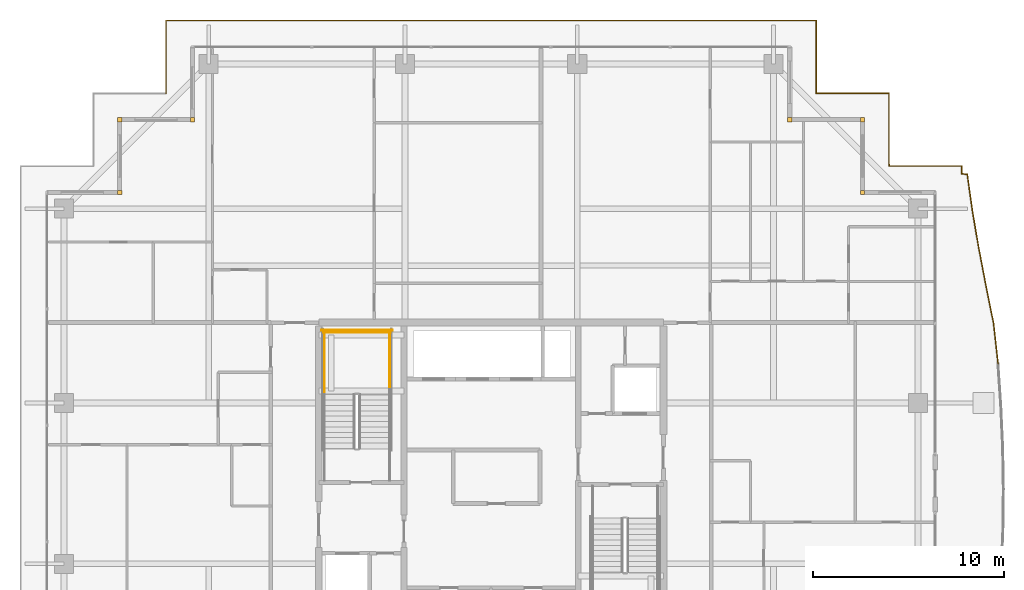
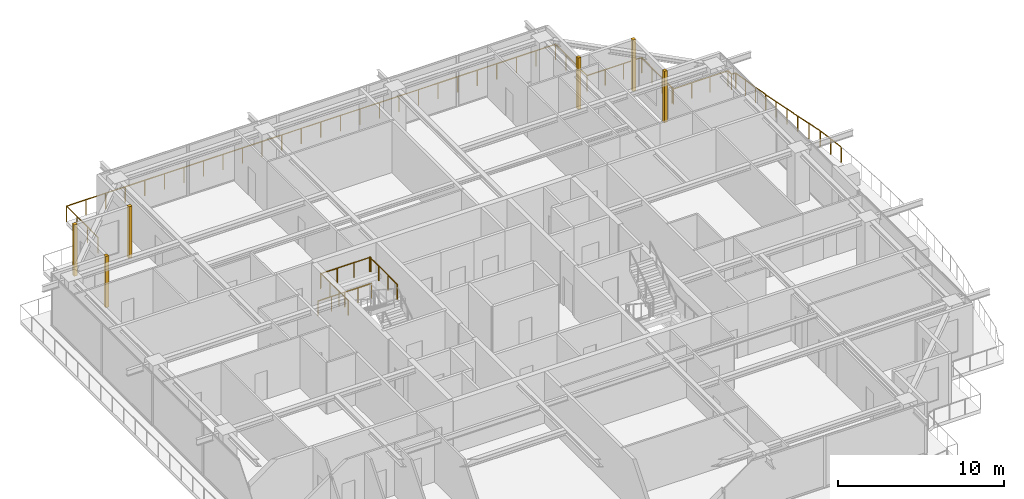
# One storey, part 42 of 42: 6 coverings, 6 railings.
"""IFC4 building model written with IfcOpenShell, lengths in metres."""

from ifc_helpers import new_model, si_unit, direction, frame, origin, origin_2d, place, context, subcontext, project, spatial, rectangle, circle, extrude, source, transform, mapped, material, layer, layer_set, type_object, element, save


model = new_model("IFC4")

# Units and contexts
model_context = context("Model", 3, precision=1e-05, world=origin(), true_north=direction((0.0, 1.0)))
body_context = subcontext(model_context, "Body", "Model", "MODEL_VIEW")
ifc_project = project(units=[si_unit("LENGTHUNIT", "METRE"), si_unit("AREAUNIT", "SQUARE_METRE"), si_unit("VOLUMEUNIT", "CUBIC_METRE"), si_unit("PLANEANGLEUNIT", "RADIAN"), si_unit("MASSUNIT", "GRAM", prefix="KILO")], contexts=[model_context])

# Site, building, storey
site_placement = place(None, origin())
site = spatial("IfcSite", under=ifc_project, at=site_placement, CompositionType="ELEMENT")
building_placement = place(site_placement, origin())
building = spatial("IfcBuilding", under=site, at=building_placement, Name="Serunith Strait Residences", CompositionType="ELEMENT")
storey_placement = place(building_placement, frame((0.0, 0.0, 297.5)))
storey = spatial("IfcBuildingStorey", under=building, at=storey_placement, Name="L74", CompositionType="ELEMENT", Elevation=297.5)

# Railings
ifc_material_1 = material(Name="Stainless Steel & Laminated Glass Balustrade", Category="steel")
railing_type_1 = type_object("IfcRailingType", Name="RLG-BALC-1150", PredefinedType="BALUSTRADE", material=ifc_material_1)
railing_1_placement = place(storey_placement, frame((15.407470703125, 45.580078125, -0.050048828125)))
element("IfcRailing", 1, at=railing_1_placement, inside=storey, type_object=railing_type_1, Name="L74 Swirling Balcony Perimeter Balustrade 2", PredefinedType="BALUSTRADE", context=body_context, shape_type="SweptSolid", body=[
    extrude(circle(Radius=0.02392578125, at=origin_2d()), frame((0.012451171875, 0.006591796875, 1.1259765625), z_axis=(0.0, 1.0, 0.0), x_axis=(-1.0, 0.0, 0.0)), (0.0, 0.0, 1.0), 3.791259765625),
    extrude(circle(Radius=0.02392578125, at=origin_2d()), frame((0.014404296875, 3.7998046875, 1.1259765625), z_axis=(1.0, 0.0, 0.0), x_axis=(0.0, 1.0, 0.0)), (0.0, 0.0, 1.0), 33.9560546875),
    extrude(circle(Radius=0.02392578125, at=origin_2d()), frame((33.972412109375, 3.7978515625, 1.1259765625), z_axis=(0.0, -1.0, 0.0), x_axis=(1.0, 0.0, 0.0)), (0.0, 0.0, 1.0), 3.7958984375),
    extrude(circle(Radius=0.02392578125, at=origin_2d()), frame((33.974365234375, 0.0, 1.1259765625), z_axis=(1.0, 0.0, 0.0), x_axis=(0.0, 1.0, 0.0)), (0.0, 0.0, 1.0), 3.796142578125),
    extrude(circle(Radius=0.02392578125, at=origin_2d()), frame((37.7724609375, -0.001953125, 1.1259765625), z_axis=(0.0, -1.0, 0.0), x_axis=(1.0, 0.0, 0.0)), (0.0, 0.0, 1.0), 3.655029296875),
    extrude(circle(Radius=0.02392578125, at=origin_2d()), frame((37.772705078125, -3.660888671875, 1.1259765625), z_axis=(0.148842389439, -0.988860932137, 0.0), x_axis=(0.988860932137, 0.148842389439, 0.0)), (0.0, 0.0, 1.0), 0.138671875),
    extrude(circle(Radius=0.02099609375, at=origin_2d()), frame((0.012451171875, 0.004638671875, 0.0)), (0.0, 0.0, 1.0), 1.099853515625),
    extrude(circle(Radius=0.02099609375, at=origin_2d()), frame((0.012451171875, 1.269775390625, 0.0)), (0.0, 0.0, 1.0), 1.099853515625),
    extrude(circle(Radius=0.02099609375, at=origin_2d()), frame((0.012451171875, 2.53466796875, 0.0)), (0.0, 0.0, 1.0), 1.099853515625),
    extrude(circle(Radius=0.02099609375, at=origin_2d()), frame((0.012451171875, 3.7998046875, 0.0)), (0.0, 0.0, 1.0), 1.099853515625),
    extrude(circle(Radius=0.02099609375, at=origin_2d()), frame((1.370849609375, 3.7998046875, 0.0)), (0.0, 0.0, 1.0), 1.099853515625),
    extrude(circle(Radius=0.02099609375, at=origin_2d()), frame((2.729248046875, 3.7998046875, 0.0)), (0.0, 0.0, 1.0), 1.099853515625),
    extrude(circle(Radius=0.02099609375, at=origin_2d()), frame((4.087646484375, 3.7998046875, 0.0)), (0.0, 0.0, 1.0), 1.099853515625),
    extrude(circle(Radius=0.02099609375, at=origin_2d()), frame((5.446044921875, 3.7998046875, 0.0)), (0.0, 0.0, 1.0), 1.099853515625),
    extrude(circle(Radius=0.02099609375, at=origin_2d()), frame((6.804443359375, 3.7998046875, 0.0)), (0.0, 0.0, 1.0), 1.099853515625),
    extrude(circle(Radius=0.02099609375, at=origin_2d()), frame((8.162841796875, 3.7998046875, 0.0)), (0.0, 0.0, 1.0), 1.099853515625),
    extrude(circle(Radius=0.02099609375, at=origin_2d()), frame((9.521240234375, 3.7998046875, 0.0)), (0.0, 0.0, 1.0), 1.099853515625),
    extrude(circle(Radius=0.02099609375, at=origin_2d()), frame((10.879638671875, 3.7998046875, 0.0)), (0.0, 0.0, 1.0), 1.099853515625),
    extrude(circle(Radius=0.02099609375, at=origin_2d()), frame((12.238037109375, 3.7998046875, 0.0)), (0.0, 0.0, 1.0), 1.099853515625),
    extrude(circle(Radius=0.02099609375, at=origin_2d()), frame((13.596435546875, 3.7998046875, 0.0)), (0.0, 0.0, 1.0), 1.099853515625),
    extrude(circle(Radius=0.02099609375, at=origin_2d()), frame((14.954833984375, 3.7998046875, 0.0)), (0.0, 0.0, 1.0), 1.099853515625),
    extrude(circle(Radius=0.02099609375, at=origin_2d()), frame((16.313232421875, 3.7998046875, 0.0)), (0.0, 0.0, 1.0), 1.099853515625),
    extrude(circle(Radius=0.02099609375, at=origin_2d()), frame((17.671630859375, 3.7998046875, 0.0)), (0.0, 0.0, 1.0), 1.099853515625),
    extrude(circle(Radius=0.02099609375, at=origin_2d()), frame((19.030029296875, 3.7998046875, 0.0)), (0.0, 0.0, 1.0), 1.099853515625),
    extrude(circle(Radius=0.02099609375, at=origin_2d()), frame((20.388427734375, 3.7998046875, 0.0)), (0.0, 0.0, 1.0), 1.099853515625),
    extrude(circle(Radius=0.02099609375, at=origin_2d()), frame((21.746826171875, 3.7998046875, 0.0)), (0.0, 0.0, 1.0), 1.099853515625),
    extrude(circle(Radius=0.02099609375, at=origin_2d()), frame((23.105224609375, 3.7998046875, 0.0)), (0.0, 0.0, 1.0), 1.099853515625),
    extrude(circle(Radius=0.02099609375, at=origin_2d()), frame((24.463623046875, 3.7998046875, 0.0)), (0.0, 0.0, 1.0), 1.099853515625),
    extrude(circle(Radius=0.02099609375, at=origin_2d()), frame((25.822021484375, 3.7998046875, 0.0)), (0.0, 0.0, 1.0), 1.099853515625),
    extrude(circle(Radius=0.02099609375, at=origin_2d()), frame((27.180419921875, 3.7998046875, 0.0)), (0.0, 0.0, 1.0), 1.099853515625),
    extrude(circle(Radius=0.02099609375, at=origin_2d()), frame((28.538818359375, 3.7998046875, 0.0)), (0.0, 0.0, 1.0), 1.099853515625),
    extrude(circle(Radius=0.02099609375, at=origin_2d()), frame((29.897216796875, 3.7998046875, 0.0)), (0.0, 0.0, 1.0), 1.099853515625),
    extrude(circle(Radius=0.02099609375, at=origin_2d()), frame((31.255615234375, 3.7998046875, 0.0)), (0.0, 0.0, 1.0), 1.099853515625),
    extrude(circle(Radius=0.02099609375, at=origin_2d()), frame((32.614013671875, 3.7998046875, 0.0)), (0.0, 0.0, 1.0), 1.099853515625),
    extrude(circle(Radius=0.02099609375, at=origin_2d()), frame((33.972412109375, 3.7998046875, 0.0)), (0.0, 0.0, 1.0), 1.099853515625),
    extrude(circle(Radius=0.02099609375, at=origin_2d()), frame((33.972412109375, 2.533203125, 0.0)), (0.0, 0.0, 1.0), 1.099853515625),
    extrude(circle(Radius=0.02099609375, at=origin_2d()), frame((33.972412109375, 1.2666015625, 0.0)), (0.0, 0.0, 1.0), 1.099853515625),
    extrude(circle(Radius=0.02099609375, at=origin_2d()), frame((33.972412109375, 0.0, 0.0)), (0.0, 0.0, 1.0), 1.099853515625),
    extrude(circle(Radius=0.02099609375, at=origin_2d()), frame((35.239013671875, 0.0, 0.0)), (0.0, 0.0, 1.0), 1.099853515625),
    extrude(circle(Radius=0.02099609375, at=origin_2d()), frame((36.505859375, 0.0, 0.0)), (0.0, 0.0, 1.0), 1.099853515625),
    extrude(circle(Radius=0.02099609375, at=origin_2d()), frame((37.7724609375, 0.0, 0.0)), (0.0, 0.0, 1.0), 1.099853515625),
    extrude(circle(Radius=0.02099609375, at=origin_2d()), frame((37.7724609375, -1.2197265625, 0.0)), (0.0, 0.0, 1.0), 1.099853515625),
    extrude(circle(Radius=0.02099609375, at=origin_2d()), frame((37.7724609375, -2.439208984375, 0.0)), (0.0, 0.0, 1.0), 1.099853515625),
    extrude(circle(Radius=0.02099609375, at=origin_2d()), frame((37.7724609375, -3.658935546875, 0.0)), (0.0, 0.0, 1.0), 1.099853515625),
    extrude(circle(Radius=0.02099609375, at=origin_2d()), frame((37.793701171875, -3.800048828125, 0.0)), (0.0, 0.0, 1.0), 1.099853515625),
])
railing_2_placement = place(storey_placement, frame((53.201171875, 41.780029296875, -0.050048828125)))
element("IfcRailing", 2, at=railing_2_placement, inside=storey, type_object=railing_type_1, Name="L74 Swirling Balcony Perimeter Balustrade 3", PredefinedType="BALUSTRADE", context=body_context, shape_type="SweptSolid", body=[
    extrude(circle(Radius=0.02392578125, at=origin_2d()), frame((0.001953125, 0.0, 1.1259765625), z_axis=(1.0, 0.0, 0.0), x_axis=(0.0, 1.0, 0.0)), (0.0, 0.0, 1.0), 3.77490234375),
    extrude(circle(Radius=0.02392578125, at=origin_2d()), frame((3.77880859375, -0.001953125, 1.1259765625), z_axis=(0.0, -1.0, 0.0), x_axis=(1.0, 0.0, 0.0)), (0.0, 0.0, 1.0), 0.408203125),
    extrude(circle(Radius=0.02392578125, at=origin_2d()), frame((3.78076171875, -0.412109375, 1.1259765625), z_axis=(0.998149907196, -0.060801009575, 0.0), x_axis=(0.060801009575, 0.998149907196, 0.0)), (0.0, 0.0, 1.0), 0.28515625),
    extrude(circle(Radius=0.02392578125, at=origin_2d()), frame((4.067626953125, -0.431640625, 1.1259765625), z_axis=(0.140051209882, -0.990144261515, 0.0), x_axis=(0.990144261515, 0.140051209882, 0.0)), (0.0, 0.0, 1.0), 1.9169921875),
    extrude(circle(Radius=0.02392578125, at=origin_2d()), frame((4.336669921875, -2.333740234375, 1.1259765625), z_axis=(0.166920200195, -0.985970408667, 0.0), x_axis=(0.985970408667, 0.166920200195, 0.0)), (0.0, 0.0, 1.0), 1.942626953125),
    extrude(circle(Radius=0.02392578125, at=origin_2d()), frame((4.661865234375, -4.253173828125, 1.1259765625), z_axis=(0.188437591314, -0.982085166459, 0.0), x_axis=(0.982085166459, 0.188437591314, 0.0)), (0.0, 0.0, 1.0), 1.98486328125),
    extrude(circle(Radius=0.02392578125, at=origin_2d()), frame((5.03662109375, -6.206298828125, 1.1259765625), z_axis=(0.197859974259, -0.980230294669, 0.0), x_axis=(0.980230294669, 0.197859974259, 0.0)), (0.0, 0.0, 1.0), 2.041748046875),
    extrude(circle(Radius=0.02392578125, at=origin_2d()), frame((5.441162109375, -8.211669921875, 1.1259765625), z_axis=(0.111200606253, -0.993797980059, 0.0), x_axis=(0.993797980059, 0.111200606253, 0.0)), (0.0, 0.0, 1.0), 2.121337890625),
    extrude(circle(Radius=0.02099609375, at=origin_2d()), origin(), (0.0, 0.0, 1.0), 1.099853515625),
    extrude(circle(Radius=0.02099609375, at=origin_2d()), frame((1.259521484375, 0.0, 0.0)), (0.0, 0.0, 1.0), 1.099853515625),
    extrude(circle(Radius=0.02099609375, at=origin_2d()), frame((2.519287109375, 0.0, 0.0)), (0.0, 0.0, 1.0), 1.099853515625),
    extrude(circle(Radius=0.02099609375, at=origin_2d()), frame((3.77880859375, 0.0, 0.0)), (0.0, 0.0, 1.0), 1.099853515625),
    extrude(circle(Radius=0.02099609375, at=origin_2d()), frame((3.77880859375, -0.412109375, 0.0)), (0.0, 0.0, 1.0), 1.099853515625),
    extrude(circle(Radius=0.02099609375, at=origin_2d()), frame((4.0673828125, -0.4296875, 0.0)), (0.0, 0.0, 1.0), 1.099853515625),
    extrude(circle(Radius=0.02099609375, at=origin_2d()), frame((4.201904296875, -1.380859375, 0.0)), (0.0, 0.0, 1.0), 1.099853515625),
    extrude(circle(Radius=0.02099609375, at=origin_2d()), frame((4.33642578125, -2.331787109375, 0.0)), (0.0, 0.0, 1.0), 1.099853515625),
    extrude(circle(Radius=0.02099609375, at=origin_2d()), frame((4.4990234375, -3.29150390625, 0.0)), (0.0, 0.0, 1.0), 1.099853515625),
    extrude(circle(Radius=0.02099609375, at=origin_2d()), frame((4.661376953125, -4.251220703125, 0.0)), (0.0, 0.0, 1.0), 1.099853515625),
    extrude(circle(Radius=0.02099609375, at=origin_2d()), frame((4.8486328125, -5.227783203125, 0.0)), (0.0, 0.0, 1.0), 1.099853515625),
    extrude(circle(Radius=0.02099609375, at=origin_2d()), frame((5.0361328125, -6.204345703125, 0.0)), (0.0, 0.0, 1.0), 1.099853515625),
    extrude(circle(Radius=0.02099609375, at=origin_2d()), frame((5.238525390625, -7.20703125, 0.0)), (0.0, 0.0, 1.0), 1.099853515625),
    extrude(circle(Radius=0.02099609375, at=origin_2d()), frame((5.44091796875, -8.209716796875, 0.0)), (0.0, 0.0, 1.0), 1.099853515625),
    extrude(circle(Radius=0.02099609375, at=origin_2d()), frame((5.55908203125, -9.265625, 0.0)), (0.0, 0.0, 1.0), 1.099853515625),
    extrude(circle(Radius=0.02099609375, at=origin_2d()), frame((5.67724609375, -10.32177734375, 0.0)), (0.0, 0.0, 1.0), 1.099853515625),
])
ifc_material_2 = material(Name="Brushed stainless steel 316L", Category="steel")
railing_type_2 = type_object("IfcRailingType", Name="RLG-STAIR-GUARD", PredefinedType="BALUSTRADE", material=ifc_material_2)
for number, where, name in (
    (3, (27.10009765625, 29.830078125, 2.02490234375), "L74 ST-1 stair guard 3"),
    (4, (23.699951171875, 29.830078125, 2.02490234375), "L74 ST-1 stair guard 4"),
):
    element("IfcRailing", number, at=place(storey_placement, frame(where)), inside=storey, type_object=railing_type_2, Name=name, PredefinedType="BALUSTRADE", context=body_context, shape_type="SweptSolid", body=[
        extrude(circle(Radius=0.02392578125, at=origin_2d()), frame((0.0, 0.001953125, 1.076171875), z_axis=(0.0, 1.0, 0.0), x_axis=(-1.0, 0.0, 0.0)), (0.0, 0.0, 1.0), 3.31591796875),
        extrude(circle(Radius=0.02099609375, at=origin_2d()), origin(), (0.0, 0.0, 1.0), 1.050048828125),
        extrude(circle(Radius=0.02099609375, at=origin_2d()), frame((0.0, 1.106689453125, 0.0)), (0.0, 0.0, 1.0), 1.050048828125),
        extrude(circle(Radius=0.02099609375, at=origin_2d()), frame((0.0, 2.213134765625, 0.0)), (0.0, 0.0, 1.0), 1.050048828125),
        extrude(circle(Radius=0.02099609375, at=origin_2d()), frame((0.0, 3.31982421875, 0.0)), (0.0, 0.0, 1.0), 1.050048828125),
    ])
railing_3_placement = place(storey_placement, frame((27.14990234375, 33.10009765625, 2.02490234375)))
element("IfcRailing", 5, at=railing_3_placement, inside=storey, type_object=railing_type_2, Name="L74 ST-1 stair guard 5", PredefinedType="BALUSTRADE", context=body_context, shape_type="SweptSolid", body=[
    extrude(circle(Radius=0.02392578125, at=origin_2d()), frame((-0.001953125, 0.0, 1.076171875), z_axis=(-1.0, 0.0, 0.0), x_axis=(0.0, -1.0, 0.0)), (0.0, 0.0, 1.0), 3.49609375),
    extrude(circle(Radius=0.02099609375, at=origin_2d()), origin(), (0.0, 0.0, 1.0), 1.050048828125),
    extrude(circle(Radius=0.02099609375, at=origin_2d()), frame((-1.166748046875, 0.0, 0.0)), (0.0, 0.0, 1.0), 1.050048828125),
    extrude(circle(Radius=0.02099609375, at=origin_2d()), frame((-2.333251953125, 0.0, 0.0)), (0.0, 0.0, 1.0), 1.050048828125),
    extrude(circle(Radius=0.02099609375, at=origin_2d()), frame((-3.5, 0.0, 0.0)), (0.0, 0.0, 1.0), 1.050048828125),
])
railing_4_placement = place(storey_placement, frame((27.25, 33.199951171875, 0.0)))
element("IfcRailing", 6, at=railing_4_placement, inside=storey, type_object=railing_type_2, Name="L74 ST-1 stair guard 12", PredefinedType="BALUSTRADE", context=body_context, shape_type="SweptSolid", body=[
    extrude(circle(Radius=0.02392578125, at=origin_2d()), frame((-0.001953125, 0.0, 1.076171875), z_axis=(-1.0, 0.0, 0.0), x_axis=(0.0, -1.0, 0.0)), (0.0, 0.0, 1.0), 3.696044921875),
    extrude(circle(Radius=0.02099609375, at=origin_2d()), origin(), (0.0, 0.0, 1.0), 1.050048828125),
    extrude(circle(Radius=0.02099609375, at=origin_2d()), frame((-0.925048828125, 0.0, 0.0)), (0.0, 0.0, 1.0), 1.050048828125),
    extrude(circle(Radius=0.02099609375, at=origin_2d()), frame((-1.85009765625, 0.0, 0.0)), (0.0, 0.0, 1.0), 1.050048828125),
    extrude(circle(Radius=0.02099609375, at=origin_2d()), frame((-2.77490234375, 0.0, 0.0)), (0.0, 0.0, 1.0), 1.050048828125),
    extrude(circle(Radius=0.02099609375, at=origin_2d()), frame((-3.699951171875, 0.0, 0.0)), (0.0, 0.0, 1.0), 1.050048828125),
])

# Coverings
ifc_material_3 = material(Name="Pale-Champagne Anodised Aluminium", Category="aluminium")
ifc_layer = layer(ifc_material_3, 0.219970703125, Name="Pale-Champagne Anodised Aluminium")
ifc_layer_set = layer_set([ifc_layer], Name="Pale-Champagne Anodised Aluminium")
covering_type = type_object("IfcCoveringType", Name="COV-CORN-TRIM", PredefinedType="CLADDING", material=ifc_layer_set)
shared_shape = source(origin(), body_context, "Body", "SweptSolid", [
    extrude(rectangle(XDim=0.221923828125, YDim=0.221923828125, at=origin_2d()), origin(), (0.0, 0.0, 1.0), 3.77490234375),
])
for number, where, z_axis, x_axis, name in (
    (7, (51.800048828125, 40.39990234375, 0.0), (0.0, 0.0, 1.0), (1.0, 0.0, 0.0), "L74 Girih Serrated Corner Trim Post 07"),
    (8, (51.800048828125, 44.199951171875, 0.0), (0.0, 0.0, 1.0), (1.0, 0.0, 0.0), "L74 Girih Serrated Corner Trim Post 08"),
    (9, (48.0, 44.199951171875, 0.0), (0.0, 0.0, 1.0), (1.0, 0.0, 0.0), "L74 Girih Serrated Corner Trim Post 09"),
    (10, (16.800048828125, 44.199951171875, 0.0), (0.0, 0.0, 1.0), (1.0, 0.0, 0.0), "L74 Girih Serrated Corner Trim Post 12"),
    (11, (13.0, 44.199951171875, 0.0), (0.0, 0.0, 1.0), (1.0, 0.0, 0.0), "L74 Girih Serrated Corner Trim Post 13"),
    (12, (13.0, 40.39990234375, 0.0), (0.0, 0.0, 1.0), (1.0, 0.0, 0.0), "L74 Girih Serrated Corner Trim Post 14"),
):
    element("IfcCovering", number, at=place(storey_placement, frame(where, z_axis=z_axis, x_axis=x_axis)), inside=storey, type_object=covering_type, Name=name, PredefinedType="CLADDING", context=body_context, shape_type="MappedRepresentation", body=[
        mapped(shared_shape, transform((0.0, 0.0, 0.0), scale=1.0)),
    ])

save(model, "model.ifc")
